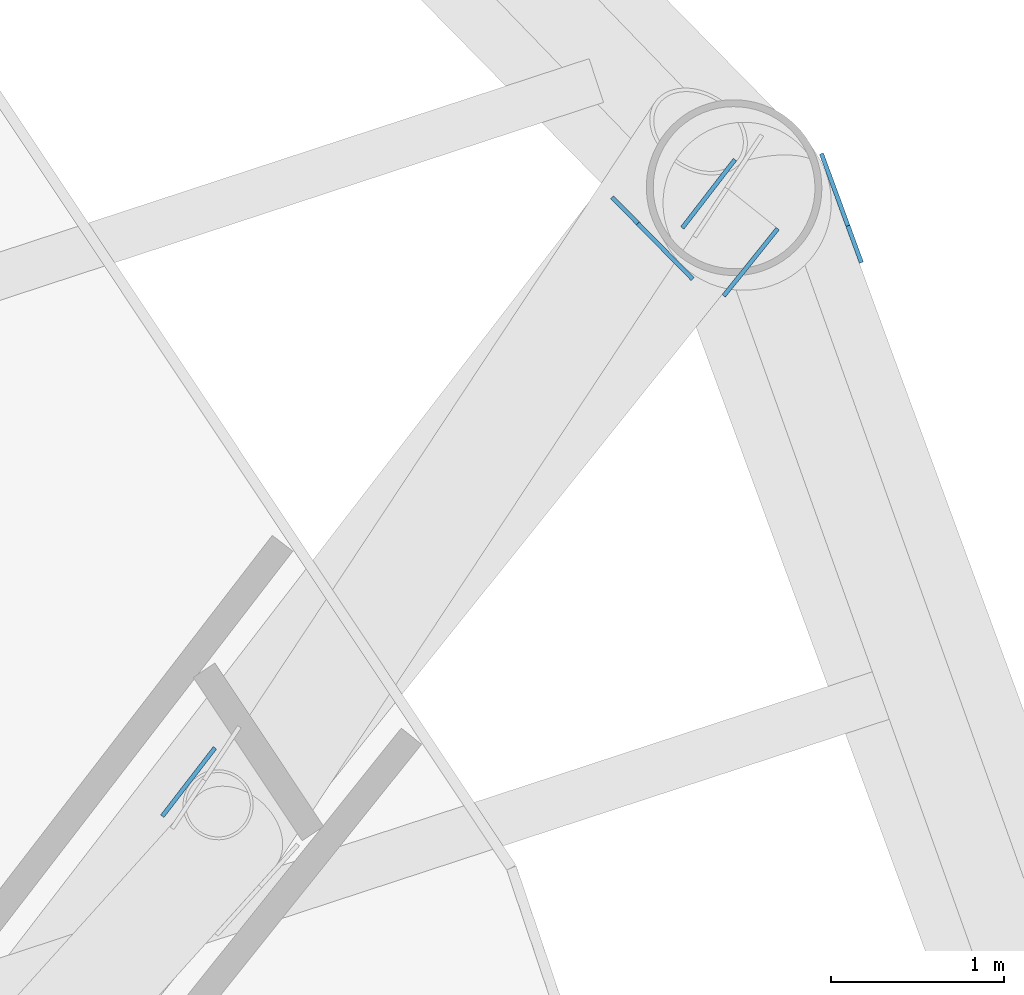
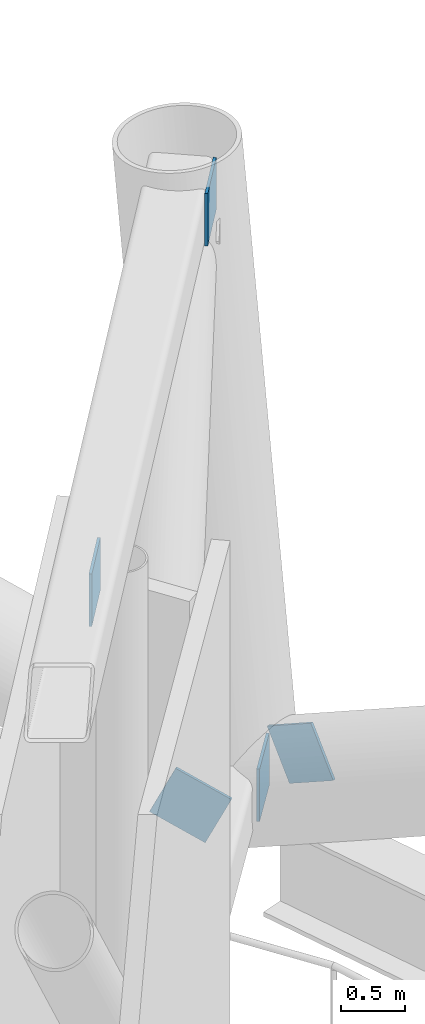
# One storey, part 22 of 33: 5 discrete accessories.
"""IFC4 building model written with IfcOpenShell, lengths in metres."""

from ifc_helpers import new_model, si_unit, direction, frame, origin, origin_2d, place, context, subcontext, project, spatial, rectangle, extrude, material, material_profile, profile_set, type_object, element, save


model = new_model("IFC4")

# Units and contexts
model_context = context("Model", 3, precision=1e-05, world=origin(), true_north=direction((0.0, 1.0)))
body_context = subcontext(model_context, "Body", "Model", "MODEL_VIEW")
ifc_project = project(units=[si_unit("LENGTHUNIT", "METRE"), si_unit("AREAUNIT", "SQUARE_METRE"), si_unit("VOLUMEUNIT", "CUBIC_METRE"), si_unit("PLANEANGLEUNIT", "RADIAN"), si_unit("MASSUNIT", "GRAM", prefix="KILO")], contexts=[model_context])

# Site, building, storey
site_placement = place(None, origin())
site = spatial("IfcSite", under=ifc_project, at=site_placement, CompositionType="ELEMENT")
building_placement = place(site_placement, origin())
building = spatial("IfcBuilding", under=site, at=building_placement, Name="Tarsis Ring Headquarters", CompositionType="ELEMENT")
storey_placement = place(building_placement, frame((0.0, 0.0, 302.0)))
storey = spatial("IfcBuildingStorey", under=building, at=storey_placement, Name="L71", CompositionType="ELEMENT", Elevation=302.0)

# Discrete accessories
ifc_material = material(Name="Structural steel S355", Category="steel")
ifc_material_profile = material_profile(ifc_material, rectangle(XDim=0.02490234375, YDim=0.5, at=origin_2d()), Name="PL 25x500")
ifc_profile_set = profile_set([ifc_material_profile], Name="Structural steel S355")
discrete_accessory_type_1 = type_object("IfcDiscreteAccessoryType", Name="Gusset plate Belt truss 25", PredefinedType="BRACKET", material=ifc_profile_set)
for number, where, z_axis, x_axis, name in (
    (1, (25.172119140625, 15.494384765625, 0.0), (0.306653492963, -0.835972579541, 0.45509722204), (0.938829042035, 0.344383550466, 0.0), "Gusset plate GP4"),
    (2, (24.312255859375, 14.949951171875, 0.0), (-0.63432105186, 0.645552294502, 0.425322275727), (-0.713284375912, -0.700874738509, 0.0), "Gusset plate GP4"),
):
    element("IfcDiscreteAccessory", number, at=place(storey_placement, frame(where, z_axis=z_axis, x_axis=x_axis)), inside=storey, type_object=discrete_accessory_type_1, Name=name, PredefinedType="BRACKET", context=body_context, shape_type="SweptSolid", body=[
        extrude(rectangle(XDim=0.02490234375, YDim=0.5, at=origin_2d()), origin(), (0.0, 0.0, 1.0), 0.5),
    ])
discrete_accessory_type_2 = type_object("IfcDiscreteAccessoryType", Name="Gusset plate Outrigger chord 25", PredefinedType="BRACKET", material=ifc_profile_set)
discrete_accessory_placement = place(storey_placement, frame((24.87939453125, 15.1669921875, 0.25390625), z_axis=(-0.625171433863, -0.780487461963, 0.0), x_axis=(0.780487461963, -0.625171433863, 0.0)))
element("IfcDiscreteAccessory", 3, at=discrete_accessory_placement, inside=storey, type_object=discrete_accessory_type_2, Name="Gusset plate GP3", PredefinedType="BRACKET", context=body_context, shape_type="SweptSolid", body=[
    extrude(rectangle(XDim=0.02490234375, YDim=0.5, at=origin_2d()), origin(), (0.0, 0.0, 1.0), 0.499755859375),
])
for number, where, z_axis, x_axis, name in (
    (4, (24.632080078125, 15.56689453125, 5.5859375), (-0.61072475137, -0.791842963007, 0.0), (0.791842963007, -0.61072475137, 0.0), "Gusset plate GP3"),
    (5, (21.466064453125, 11.9599609375, 5.33203125), (0.0, 0.0, -1.0), (-0.792109416367, 0.610379121942, 0.0), "Gusset plate GP3"),
):
    element("IfcDiscreteAccessory", number, at=place(storey_placement, frame(where, z_axis=z_axis, x_axis=x_axis)), inside=storey, type_object=discrete_accessory_type_2, Name=name, PredefinedType="BRACKET", context=body_context, shape_type="SweptSolid", body=[
        extrude(rectangle(XDim=0.02490234375, YDim=0.5, at=origin_2d()), origin(), (0.0, 0.0, 1.0), 0.5),
    ])

save(model, "model.ifc")
